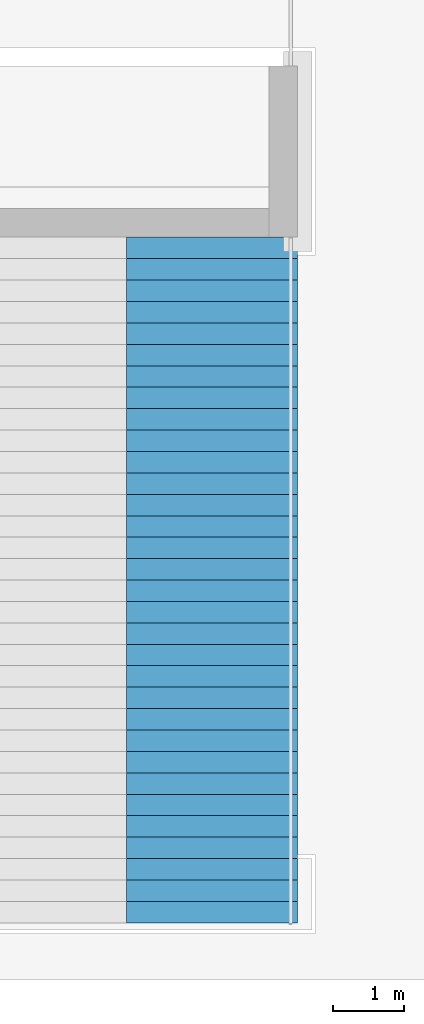
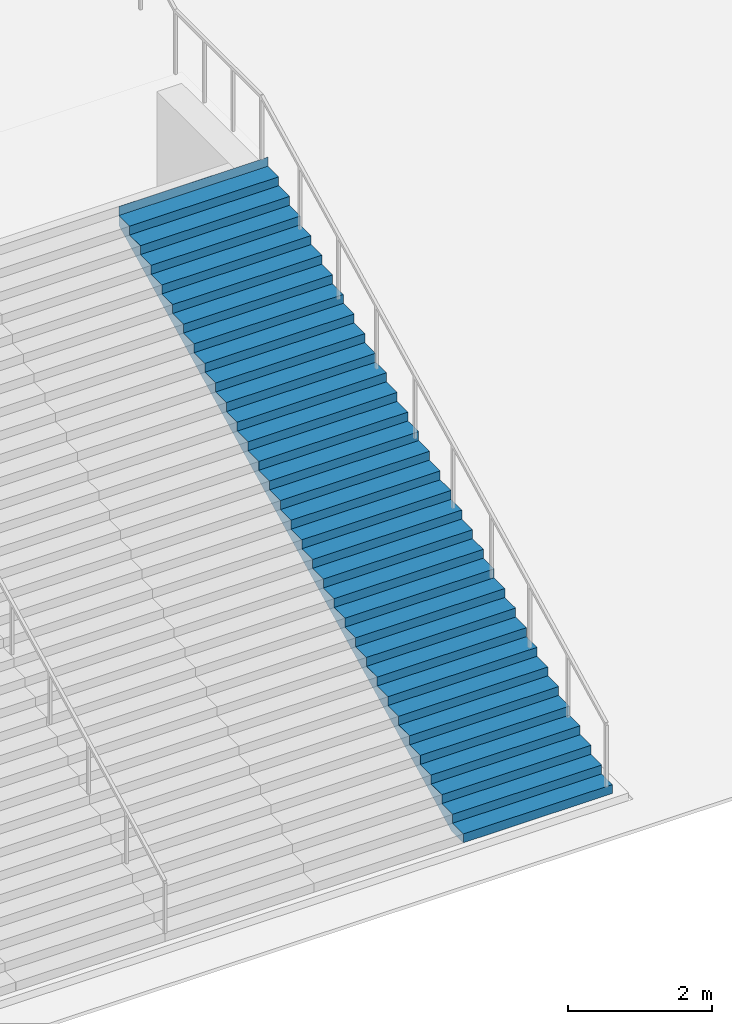
# One storey, part 39 of 57: 1 stair flight, 1 element without a shape of its own.
"""IFC4 building model written with IfcOpenShell, lengths in metres."""

from ifc_helpers import new_model, si_unit, direction, frame, origin, place, context, subcontext, project, spatial, triangles, material, type_object, element, aggregate, save


model = new_model("IFC4")

# Units and contexts
model_context = context("Model", 3, precision=1e-05, world=origin(), true_north=direction((0.0, 1.0)))
body_context = subcontext(model_context, "Body", "Model", "MODEL_VIEW")
ifc_project = project(units=[si_unit("LENGTHUNIT", "METRE"), si_unit("AREAUNIT", "SQUARE_METRE"), si_unit("VOLUMEUNIT", "CUBIC_METRE"), si_unit("PLANEANGLEUNIT", "RADIAN"), si_unit("MASSUNIT", "GRAM", prefix="KILO")], contexts=[model_context])

# Site, building, storey
site_placement = place(None, origin())
site = spatial("IfcSite", under=ifc_project, at=site_placement, CompositionType="ELEMENT")
building_placement = place(site_placement, origin())
building = spatial("IfcBuilding", under=site, at=building_placement, Name="Beryl Residences", CompositionType="ELEMENT")
storey_placement = place(building_placement, origin())
storey = spatial("IfcBuildingStorey", under=building, at=storey_placement, Name="L00", CompositionType="ELEMENT", Elevation=0.0)

# Stair, stair flight
ifc_material_1 = material(Name="Precast concrete C40/50", Category="concrete")
stair_type = type_object("IfcStairType", Name="GS1 garden stair", PredefinedType="STRAIGHT_RUN_STAIR", material=ifc_material_1)
stair_placement = place(storey_placement, origin())
stair = element("IfcStair", 1, at=stair_placement, inside=storey, type_object=stair_type, Name="GS1 garden stair", PredefinedType="STRAIGHT_RUN_STAIR")
ifc_material_2 = material(Name="Precast concrete C40/50", Category="concrete")
stair_flight_type = type_object("IfcStairFlightType", Name="GF1 garden stair flight", PredefinedType="STRAIGHT", material=ifc_material_2)
stair_flight_placement = place(storey_placement, frame((10.800048828125, -54.199951171875, 0.0), z_axis=(0.0, 0.0, 1.0), x_axis=(0.0, 1.0, 0.0)))
stair_flight = element("IfcStairFlight", 2, at=stair_flight_placement, type_object=stair_flight_type, Name="GS1 flight 10", NumberOfRisers=33, NumberOfTreads=32, PredefinedType="STRAIGHT", RiserHeight=0.151515152, TreadLength=0.3, context=body_context, shape_type="Tessellation", body=[
    triangles([(0.0, -1.199951171875, 0.0), (0.0, -0.60009765625, 0.0), (0.0, 0.0, 0.0), (0.0, 0.60009765625, 0.0), (0.0, 1.199951171875, 0.0), (0.0, -1.199951171875, 0.151611328125), (0.0, -0.60009765625, 0.151611328125), (0.0, 0.0, 0.151611328125), (0.0, 0.60009765625, 0.151611328125), (0.0, 1.199951171875, 0.151611328125), (0.300048828125, -1.199951171875, 0.151611328125), (0.300048828125, -0.60009765625, 0.151611328125), (0.300048828125, 0.0, 0.151611328125), (0.300048828125, 0.60009765625, 0.151611328125), (0.300048828125, 1.199951171875, 0.151611328125), (0.300048828125, -1.199951171875, 0.302978515625), (0.300048828125, -0.60009765625, 0.302978515625), (0.300048828125, 0.0, 0.302978515625), (0.300048828125, 0.60009765625, 0.302978515625), (0.300048828125, 1.199951171875, 0.302978515625), (0.60009765625, -1.199951171875, 0.302978515625), (0.60009765625, -0.60009765625, 0.302978515625), (0.60009765625, 0.0, 0.302978515625), (0.60009765625, 0.60009765625, 0.302978515625), (0.60009765625, 1.199951171875, 0.302978515625), (0.60009765625, -1.199951171875, 0.45458984375), (0.60009765625, -0.60009765625, 0.45458984375), (0.60009765625, 0.0, 0.45458984375), (0.60009765625, 0.60009765625, 0.45458984375), (0.60009765625, 1.199951171875, 0.45458984375), (0.89990234375, -1.199951171875, 0.45458984375), (0.89990234375, -0.60009765625, 0.45458984375), (0.89990234375, 0.0, 0.45458984375), (0.89990234375, 0.60009765625, 0.45458984375), (0.89990234375, 1.199951171875, 0.45458984375), (0.89990234375, -1.199951171875, 0.60595703125), (0.89990234375, -0.60009765625, 0.60595703125), (0.89990234375, 0.0, 0.60595703125), (0.89990234375, 0.60009765625, 0.60595703125), (0.89990234375, 1.199951171875, 0.60595703125), (1.199951171875, -1.199951171875, 0.60595703125), (1.199951171875, -0.60009765625, 0.60595703125), (1.199951171875, 0.0, 0.60595703125), (1.199951171875, 0.60009765625, 0.60595703125), (1.199951171875, 1.199951171875, 0.60595703125), (1.199951171875, -1.199951171875, 0.757568359375), (1.199951171875, -0.60009765625, 0.757568359375), (1.199951171875, 0.0, 0.757568359375), (1.199951171875, 0.60009765625, 0.757568359375), (1.199951171875, 1.199951171875, 0.757568359375), (1.5, -1.199951171875, 0.757568359375), (1.5, -0.60009765625, 0.757568359375), (1.5, 0.0, 0.757568359375), (1.5, 0.60009765625, 0.757568359375), (1.5, 1.199951171875, 0.757568359375), (1.5, -1.199951171875, 0.9091796875), (1.5, -0.60009765625, 0.9091796875), (1.5, 0.0, 0.9091796875), (1.5, 0.60009765625, 0.9091796875), (1.5, 1.199951171875, 0.9091796875), (1.800048828125, -1.199951171875, 0.9091796875), (1.800048828125, -0.60009765625, 0.9091796875), (1.800048828125, 0.0, 0.9091796875), (1.800048828125, 0.60009765625, 0.9091796875), (1.800048828125, 1.199951171875, 0.9091796875), (1.800048828125, -1.199951171875, 1.060546875), (1.800048828125, -0.60009765625, 1.060546875), (1.800048828125, 0.0, 1.060546875), (1.800048828125, 0.60009765625, 1.060546875), (1.800048828125, 1.199951171875, 1.060546875), (2.10009765625, -1.199951171875, 1.060546875), (2.10009765625, -0.60009765625, 1.060546875), (2.10009765625, 0.0, 1.060546875), (2.10009765625, 0.60009765625, 1.060546875), (2.10009765625, 1.199951171875, 1.060546875), (2.10009765625, -1.199951171875, 1.212158203125), (2.10009765625, -0.60009765625, 1.212158203125), (2.10009765625, 0.0, 1.212158203125), (2.10009765625, 0.60009765625, 1.212158203125), (2.10009765625, 1.199951171875, 1.212158203125), (2.39990234375, -1.199951171875, 1.212158203125), (2.39990234375, -0.60009765625, 1.212158203125), (2.39990234375, 0.0, 1.212158203125), (2.39990234375, 0.60009765625, 1.212158203125), (2.39990234375, 1.199951171875, 1.212158203125), (2.39990234375, -1.199951171875, 1.363525390625), (2.39990234375, -0.60009765625, 1.363525390625), (2.39990234375, 0.0, 1.363525390625), (2.39990234375, 0.60009765625, 1.363525390625), (2.39990234375, 1.199951171875, 1.363525390625), (2.699951171875, -1.199951171875, 1.363525390625), (2.699951171875, -0.60009765625, 1.363525390625), (2.699951171875, 0.0, 1.363525390625), (2.699951171875, 0.60009765625, 1.363525390625), (2.699951171875, 1.199951171875, 1.363525390625), (2.699951171875, -1.199951171875, 1.51513671875), (2.699951171875, -0.60009765625, 1.51513671875), (2.699951171875, 0.0, 1.51513671875), (2.699951171875, 0.60009765625, 1.51513671875), (2.699951171875, 1.199951171875, 1.51513671875), (3.0, -1.199951171875, 1.51513671875), (3.0, -0.60009765625, 1.51513671875), (3.0, 0.0, 1.51513671875), (3.0, 0.60009765625, 1.51513671875), (3.0, 1.199951171875, 1.51513671875), (3.0, -1.199951171875, 1.666748046875), (3.0, -0.60009765625, 1.666748046875), (3.0, 0.0, 1.666748046875), (3.0, 0.60009765625, 1.666748046875), (3.0, 1.199951171875, 1.666748046875), (3.300048828125, -1.199951171875, 1.666748046875), (3.300048828125, -0.60009765625, 1.666748046875), (3.300048828125, 0.0, 1.666748046875), (3.300048828125, 0.60009765625, 1.666748046875), (3.300048828125, 1.199951171875, 1.666748046875), (3.300048828125, -1.199951171875, 1.818115234375), (3.300048828125, -0.60009765625, 1.818115234375), (3.300048828125, 0.0, 1.818115234375), (3.300048828125, 0.60009765625, 1.818115234375), (3.300048828125, 1.199951171875, 1.818115234375), (3.60009765625, -1.199951171875, 1.818115234375), (3.60009765625, -0.60009765625, 1.818115234375), (3.60009765625, 0.0, 1.818115234375), (3.60009765625, 0.60009765625, 1.818115234375), (3.60009765625, 1.199951171875, 1.818115234375), (3.60009765625, -1.199951171875, 1.9697265625), (3.60009765625, -0.60009765625, 1.9697265625), (3.60009765625, 0.0, 1.9697265625), (3.60009765625, 0.60009765625, 1.9697265625), (3.60009765625, 1.199951171875, 1.9697265625), (3.89990234375, -1.199951171875, 1.9697265625), (3.89990234375, -0.60009765625, 1.9697265625), (3.89990234375, 0.0, 1.9697265625), (3.89990234375, 0.60009765625, 1.9697265625), (3.89990234375, 1.199951171875, 1.9697265625), (3.89990234375, -1.199951171875, 2.12109375), (3.89990234375, -0.60009765625, 2.12109375), (3.89990234375, 0.0, 2.12109375), (3.89990234375, 0.60009765625, 2.12109375), (3.89990234375, 1.199951171875, 2.12109375), (4.199951171875, -1.199951171875, 2.12109375), (4.199951171875, -0.60009765625, 2.12109375), (4.199951171875, 0.0, 2.12109375), (4.199951171875, 0.60009765625, 2.12109375), (4.199951171875, 1.199951171875, 2.12109375), (4.199951171875, -1.199951171875, 2.272705078125), (4.199951171875, -0.60009765625, 2.272705078125), (4.199951171875, 0.0, 2.272705078125), (4.199951171875, 0.60009765625, 2.272705078125), (4.199951171875, 1.199951171875, 2.272705078125), (4.5, -1.199951171875, 2.272705078125), (4.5, -0.60009765625, 2.272705078125), (4.5, 0.0, 2.272705078125), (4.5, 0.60009765625, 2.272705078125), (4.5, 1.199951171875, 2.272705078125), (4.5, -1.199951171875, 2.42431640625), (4.5, -0.60009765625, 2.42431640625), (4.5, 0.0, 2.42431640625), (4.5, 0.60009765625, 2.42431640625), (4.5, 1.199951171875, 2.42431640625), (4.800048828125, -1.199951171875, 2.42431640625), (4.800048828125, -0.60009765625, 2.42431640625), (4.800048828125, 0.0, 2.42431640625), (4.800048828125, 0.60009765625, 2.42431640625), (4.800048828125, 1.199951171875, 2.42431640625), (4.800048828125, -1.199951171875, 2.57568359375), (4.800048828125, -0.60009765625, 2.57568359375), (4.800048828125, 0.0, 2.57568359375), (4.800048828125, 0.60009765625, 2.57568359375), (4.800048828125, 1.199951171875, 2.57568359375), (5.10009765625, -1.199951171875, 2.57568359375), (5.10009765625, -0.60009765625, 2.57568359375), (5.10009765625, 0.0, 2.57568359375), (5.10009765625, 0.60009765625, 2.57568359375), (5.10009765625, 1.199951171875, 2.57568359375), (5.10009765625, -1.199951171875, 2.727294921875), (5.10009765625, -0.60009765625, 2.727294921875), (5.10009765625, 0.0, 2.727294921875), (5.10009765625, 0.60009765625, 2.727294921875), (5.10009765625, 1.199951171875, 2.727294921875), (5.39990234375, -1.199951171875, 2.727294921875), (5.39990234375, -0.60009765625, 2.727294921875), (5.39990234375, 0.0, 2.727294921875), (5.39990234375, 0.60009765625, 2.727294921875), (5.39990234375, 1.199951171875, 2.727294921875), (5.39990234375, -1.199951171875, 2.87890625), (5.39990234375, -0.60009765625, 2.87890625), (5.39990234375, 0.0, 2.87890625), (5.39990234375, 0.60009765625, 2.87890625), (5.39990234375, 1.199951171875, 2.87890625), (5.699951171875, -1.199951171875, 2.87890625), (5.699951171875, -0.60009765625, 2.87890625), (5.699951171875, 0.0, 2.87890625), (5.699951171875, 0.60009765625, 2.87890625), (5.699951171875, 1.199951171875, 2.87890625), (5.699951171875, -1.199951171875, 3.0302734375), (5.699951171875, -0.60009765625, 3.0302734375), (5.699951171875, 0.0, 3.0302734375), (5.699951171875, 0.60009765625, 3.0302734375), (5.699951171875, 1.199951171875, 3.0302734375), (6.0, -1.199951171875, 3.0302734375), (6.0, -0.60009765625, 3.0302734375), (6.0, 0.0, 3.0302734375), (6.0, 0.60009765625, 3.0302734375), (6.0, 1.199951171875, 3.0302734375), (6.0, -1.199951171875, 3.181884765625), (6.0, -0.60009765625, 3.181884765625), (6.0, 0.0, 3.181884765625), (6.0, 0.60009765625, 3.181884765625), (6.0, 1.199951171875, 3.181884765625), (6.300048828125, -1.199951171875, 3.181884765625), (6.300048828125, -0.60009765625, 3.181884765625), (6.300048828125, 0.0, 3.181884765625), (6.300048828125, 0.60009765625, 3.181884765625), (6.300048828125, 1.199951171875, 3.181884765625), (6.300048828125, -1.199951171875, 3.333251953125), (6.300048828125, -0.60009765625, 3.333251953125), (6.300048828125, 0.0, 3.333251953125), (6.300048828125, 0.60009765625, 3.333251953125), (6.300048828125, 1.199951171875, 3.333251953125), (6.60009765625, -1.199951171875, 3.333251953125), (6.60009765625, -0.60009765625, 3.333251953125), (6.60009765625, 0.0, 3.333251953125), (6.60009765625, 0.60009765625, 3.333251953125), (6.60009765625, 1.199951171875, 3.333251953125), (6.60009765625, -1.199951171875, 3.48486328125), (6.60009765625, -0.60009765625, 3.48486328125), (6.60009765625, 0.0, 3.48486328125), (6.60009765625, 0.60009765625, 3.48486328125), (6.60009765625, 1.199951171875, 3.48486328125), (6.89990234375, -1.199951171875, 3.48486328125), (6.89990234375, -0.60009765625, 3.48486328125), (6.89990234375, 0.0, 3.48486328125), (6.89990234375, 0.60009765625, 3.48486328125), (6.89990234375, 1.199951171875, 3.48486328125), (6.89990234375, -1.199951171875, 3.636474609375), (6.89990234375, -0.60009765625, 3.636474609375), (6.89990234375, 0.0, 3.636474609375), (6.89990234375, 0.60009765625, 3.636474609375), (6.89990234375, 1.199951171875, 3.636474609375), (7.199951171875, -1.199951171875, 3.636474609375), (7.199951171875, -0.60009765625, 3.636474609375), (7.199951171875, 0.0, 3.636474609375), (7.199951171875, 0.60009765625, 3.636474609375), (7.199951171875, 1.199951171875, 3.636474609375), (7.199951171875, -1.199951171875, 3.787841796875), (7.199951171875, -0.60009765625, 3.787841796875), (7.199951171875, 0.0, 3.787841796875), (7.199951171875, 0.60009765625, 3.787841796875), (7.199951171875, 1.199951171875, 3.787841796875), (7.5, -1.199951171875, 3.787841796875), (7.5, -0.60009765625, 3.787841796875), (7.5, 0.0, 3.787841796875), (7.5, 0.60009765625, 3.787841796875), (7.5, 1.199951171875, 3.787841796875), (7.5, -1.199951171875, 3.939453125), (7.5, -0.60009765625, 3.939453125), (7.5, 0.0, 3.939453125), (7.5, 0.60009765625, 3.939453125), (7.5, 1.199951171875, 3.939453125), (7.800048828125, -1.199951171875, 3.939453125), (7.800048828125, -0.60009765625, 3.939453125), (7.800048828125, 0.0, 3.939453125), (7.800048828125, 0.60009765625, 3.939453125), (7.800048828125, 1.199951171875, 3.939453125), (7.800048828125, -1.199951171875, 4.0908203125), (7.800048828125, -0.60009765625, 4.0908203125), (7.800048828125, 0.0, 4.0908203125), (7.800048828125, 0.60009765625, 4.0908203125), (7.800048828125, 1.199951171875, 4.0908203125), (8.10009765625, -1.199951171875, 4.0908203125), (8.10009765625, -0.60009765625, 4.0908203125), (8.10009765625, 0.0, 4.0908203125), (8.10009765625, 0.60009765625, 4.0908203125), (8.10009765625, 1.199951171875, 4.0908203125), (8.10009765625, -1.199951171875, 4.242431640625), (8.10009765625, -0.60009765625, 4.242431640625), (8.10009765625, 0.0, 4.242431640625), (8.10009765625, 0.60009765625, 4.242431640625), (8.10009765625, 1.199951171875, 4.242431640625), (8.39990234375, -1.199951171875, 4.242431640625), (8.39990234375, -0.60009765625, 4.242431640625), (8.39990234375, 0.0, 4.242431640625), (8.39990234375, 0.60009765625, 4.242431640625), (8.39990234375, 1.199951171875, 4.242431640625), (8.39990234375, -1.199951171875, 4.39404296875), (8.39990234375, -0.60009765625, 4.39404296875), (8.39990234375, 0.0, 4.39404296875), (8.39990234375, 0.60009765625, 4.39404296875), (8.39990234375, 1.199951171875, 4.39404296875), (8.699951171875, -1.199951171875, 4.39404296875), (8.699951171875, -0.60009765625, 4.39404296875), (8.699951171875, 0.0, 4.39404296875), (8.699951171875, 0.60009765625, 4.39404296875), (8.699951171875, 1.199951171875, 4.39404296875), (8.699951171875, -1.199951171875, 4.54541015625), (8.699951171875, -0.60009765625, 4.54541015625), (8.699951171875, 0.0, 4.54541015625), (8.699951171875, 0.60009765625, 4.54541015625), (8.699951171875, 1.199951171875, 4.54541015625), (9.0, -1.199951171875, 4.54541015625), (9.0, -0.60009765625, 4.54541015625), (9.0, 0.0, 4.54541015625), (9.0, 0.60009765625, 4.54541015625), (9.0, 1.199951171875, 4.54541015625), (9.0, -1.199951171875, 4.697021484375), (9.0, -0.60009765625, 4.697021484375), (9.0, 0.0, 4.697021484375), (9.0, 0.60009765625, 4.697021484375), (9.0, 1.199951171875, 4.697021484375), (9.300048828125, -1.199951171875, 4.697021484375), (9.300048828125, -0.60009765625, 4.697021484375), (9.300048828125, 0.0, 4.697021484375), (9.300048828125, 0.60009765625, 4.697021484375), (9.300048828125, 1.199951171875, 4.697021484375), (9.300048828125, -1.199951171875, 4.848388671875), (9.300048828125, -0.60009765625, 4.848388671875), (9.300048828125, 0.0, 4.848388671875), (9.300048828125, 0.60009765625, 4.848388671875), (9.300048828125, 1.199951171875, 4.848388671875), (9.60009765625, -1.199951171875, 4.848388671875), (9.60009765625, -0.60009765625, 4.848388671875), (9.60009765625, 0.0, 4.848388671875), (9.60009765625, 0.60009765625, 4.848388671875), (9.60009765625, 1.199951171875, 4.848388671875), (9.60009765625, -1.199951171875, 5.0), (9.60009765625, -0.60009765625, 5.0), (9.60009765625, 0.0, 5.0), (9.60009765625, 0.60009765625, 5.0), (9.60009765625, 1.199951171875, 5.0), (9.60107421875, -1.199951171875, 5.0), (9.60107421875, -0.60009765625, 5.0), (9.60107421875, 0.0, 5.0), (9.60107421875, 0.60009765625, 5.0), (9.60107421875, 1.199951171875, 5.0), (9.60107421875, -1.199951171875, 4.6806640625), (9.60107421875, -0.60009765625, 4.6806640625), (9.60107421875, 0.0, 4.6806640625), (9.60107421875, 0.60009765625, 4.6806640625), (9.60107421875, 1.199951171875, 4.6806640625), (0.33349609375, -1.199951171875, 0.0), (0.33349609375, -0.60009765625, 0.0), (0.33349609375, 0.0, 0.0), (0.33349609375, 0.60009765625, 0.0), (0.33349609375, 1.199951171875, 0.0)], [[1, 6, 7], [1, 7, 2], [2, 7, 8], [2, 8, 3], [3, 8, 9], [3, 9, 4], [4, 9, 10], [4, 10, 5], [6, 11, 12], [6, 12, 7], [7, 12, 13], [7, 13, 8], [8, 13, 14], [8, 14, 9], [9, 14, 15], [9, 15, 10], [11, 16, 17], [11, 17, 12], [12, 17, 18], [12, 18, 13], [13, 18, 19], [13, 19, 14], [14, 19, 20], [14, 20, 15], [16, 21, 22], [16, 22, 17], [17, 22, 23], [17, 23, 18], [18, 23, 24], [18, 24, 19], [19, 24, 25], [19, 25, 20], [21, 26, 27], [21, 27, 22], [22, 27, 28], [22, 28, 23], [23, 28, 29], [23, 29, 24], [24, 29, 30], [24, 30, 25], [26, 31, 32], [26, 32, 27], [27, 32, 33], [27, 33, 28], [28, 33, 34], [28, 34, 29], [29, 34, 35], [29, 35, 30], [31, 36, 37], [31, 37, 32], [32, 37, 38], [32, 38, 33], [33, 38, 39], [33, 39, 34], [34, 39, 40], [34, 40, 35], [36, 41, 42], [36, 42, 37], [37, 42, 43], [37, 43, 38], [38, 43, 44], [38, 44, 39], [39, 44, 45], [39, 45, 40], [41, 46, 47], [41, 47, 42], [42, 47, 48], [42, 48, 43], [43, 48, 49], [43, 49, 44], [44, 49, 50], [44, 50, 45], [46, 51, 52], [46, 52, 47], [47, 52, 53], [47, 53, 48], [48, 53, 54], [48, 54, 49], [49, 54, 55], [49, 55, 50], [51, 56, 57], [51, 57, 52], [52, 57, 58], [52, 58, 53], [53, 58, 59], [53, 59, 54], [54, 59, 60], [54, 60, 55], [56, 61, 62], [56, 62, 57], [57, 62, 63], [57, 63, 58], [58, 63, 64], [58, 64, 59], [59, 64, 65], [59, 65, 60], [61, 66, 67], [61, 67, 62], [62, 67, 68], [62, 68, 63], [63, 68, 69], [63, 69, 64], [64, 69, 70], [64, 70, 65], [66, 71, 72], [66, 72, 67], [67, 72, 73], [67, 73, 68], [68, 73, 74], [68, 74, 69], [69, 74, 75], [69, 75, 70], [71, 76, 77], [71, 77, 72], [72, 77, 78], [72, 78, 73], [73, 78, 79], [73, 79, 74], [74, 79, 80], [74, 80, 75], [76, 81, 82], [76, 82, 77], [77, 82, 83], [77, 83, 78], [78, 83, 84], [78, 84, 79], [79, 84, 85], [79, 85, 80], [81, 86, 87], [81, 87, 82], [82, 87, 88], [82, 88, 83], [83, 88, 89], [83, 89, 84], [84, 89, 90], [84, 90, 85], [86, 91, 92], [86, 92, 87], [87, 92, 93], [87, 93, 88], [88, 93, 94], [88, 94, 89], [89, 94, 95], [89, 95, 90], [91, 96, 97], [91, 97, 92], [92, 97, 98], [92, 98, 93], [93, 98, 99], [93, 99, 94], [94, 99, 100], [94, 100, 95], [96, 101, 102], [96, 102, 97], [97, 102, 103], [97, 103, 98], [98, 103, 104], [98, 104, 99], [99, 104, 105], [99, 105, 100], [101, 106, 107], [101, 107, 102], [102, 107, 108], [102, 108, 103], [103, 108, 109], [103, 109, 104], [104, 109, 110], [104, 110, 105], [106, 111, 112], [106, 112, 107], [107, 112, 113], [107, 113, 108], [108, 113, 114], [108, 114, 109], [109, 114, 115], [109, 115, 110], [111, 116, 117], [111, 117, 112], [112, 117, 118], [112, 118, 113], [113, 118, 119], [113, 119, 114], [114, 119, 120], [114, 120, 115], [116, 121, 122], [116, 122, 117], [117, 122, 123], [117, 123, 118], [118, 123, 124], [118, 124, 119], [119, 124, 125], [119, 125, 120], [121, 126, 127], [121, 127, 122], [122, 127, 128], [122, 128, 123], [123, 128, 129], [123, 129, 124], [124, 129, 130], [124, 130, 125], [126, 131, 132], [126, 132, 127], [127, 132, 133], [127, 133, 128], [128, 133, 134], [128, 134, 129], [129, 134, 135], [129, 135, 130], [131, 136, 137], [131, 137, 132], [132, 137, 138], [132, 138, 133], [133, 138, 139], [133, 139, 134], [134, 139, 140], [134, 140, 135], [136, 141, 142], [136, 142, 137], [137, 142, 143], [137, 143, 138], [138, 143, 144], [138, 144, 139], [139, 144, 145], [139, 145, 140], [141, 146, 147], [141, 147, 142], [142, 147, 148], [142, 148, 143], [143, 148, 149], [143, 149, 144], [144, 149, 150], [144, 150, 145], [146, 151, 152], [146, 152, 147], [147, 152, 153], [147, 153, 148], [148, 153, 154], [148, 154, 149], [149, 154, 155], [149, 155, 150], [151, 156, 157], [151, 157, 152], [152, 157, 158], [152, 158, 153], [153, 158, 159], [153, 159, 154], [154, 159, 160], [154, 160, 155], [156, 161, 162], [156, 162, 157], [157, 162, 163], [157, 163, 158], [158, 163, 164], [158, 164, 159], [159, 164, 165], [159, 165, 160], [161, 166, 167], [161, 167, 162], [162, 167, 168], [162, 168, 163], [163, 168, 169], [163, 169, 164], [164, 169, 170], [164, 170, 165], [166, 171, 172], [166, 172, 167], [167, 172, 173], [167, 173, 168], [168, 173, 174], [168, 174, 169], [169, 174, 175], [169, 175, 170], [171, 176, 177], [171, 177, 172], [172, 177, 178], [172, 178, 173], [173, 178, 179], [173, 179, 174], [174, 179, 180], [174, 180, 175], [176, 181, 182], [176, 182, 177], [177, 182, 183], [177, 183, 178], [178, 183, 184], [178, 184, 179], [179, 184, 185], [179, 185, 180], [181, 186, 187], [181, 187, 182], [182, 187, 188], [182, 188, 183], [183, 188, 189], [183, 189, 184], [184, 189, 190], [184, 190, 185], [186, 191, 192], [186, 192, 187], [187, 192, 193], [187, 193, 188], [188, 193, 194], [188, 194, 189], [189, 194, 195], [189, 195, 190], [191, 196, 197], [191, 197, 192], [192, 197, 198], [192, 198, 193], [193, 198, 199], [193, 199, 194], [194, 199, 200], [194, 200, 195], [196, 201, 202], [196, 202, 197], [197, 202, 203], [197, 203, 198], [198, 203, 204], [198, 204, 199], [199, 204, 205], [199, 205, 200], [201, 206, 207], [201, 207, 202], [202, 207, 208], [202, 208, 203], [203, 208, 209], [203, 209, 204], [204, 209, 210], [204, 210, 205], [206, 211, 212], [206, 212, 207], [207, 212, 213], [207, 213, 208], [208, 213, 214], [208, 214, 209], [209, 214, 215], [209, 215, 210], [211, 216, 217], [211, 217, 212], [212, 217, 218], [212, 218, 213], [213, 218, 219], [213, 219, 214], [214, 219, 220], [214, 220, 215], [216, 221, 222], [216, 222, 217], [217, 222, 223], [217, 223, 218], [218, 223, 224], [218, 224, 219], [219, 224, 225], [219, 225, 220], [221, 226, 227], [221, 227, 222], [222, 227, 228], [222, 228, 223], [223, 228, 229], [223, 229, 224], [224, 229, 230], [224, 230, 225], [226, 231, 232], [226, 232, 227], [227, 232, 233], [227, 233, 228], [228, 233, 234], [228, 234, 229], [229, 234, 235], [229, 235, 230], [231, 236, 237], [231, 237, 232], [232, 237, 238], [232, 238, 233], [233, 238, 239], [233, 239, 234], [234, 239, 240], [234, 240, 235], [236, 241, 242], [236, 242, 237], [237, 242, 243], [237, 243, 238], [238, 243, 244], [238, 244, 239], [239, 244, 245], [239, 245, 240], [241, 246, 247], [241, 247, 242], [242, 247, 248], [242, 248, 243], [243, 248, 249], [243, 249, 244], [244, 249, 250], [244, 250, 245], [246, 251, 252], [246, 252, 247], [247, 252, 253], [247, 253, 248], [248, 253, 254], [248, 254, 249], [249, 254, 255], [249, 255, 250], [251, 256, 257], [251, 257, 252], [252, 257, 258], [252, 258, 253], [253, 258, 259], [253, 259, 254], [254, 259, 260], [254, 260, 255], [256, 261, 262], [256, 262, 257], [257, 262, 263], [257, 263, 258], [258, 263, 264], [258, 264, 259], [259, 264, 265], [259, 265, 260], [261, 266, 267], [261, 267, 262], [262, 267, 268], [262, 268, 263], [263, 268, 269], [263, 269, 264], [264, 269, 270], [264, 270, 265], [266, 271, 272], [266, 272, 267], [267, 272, 273], [267, 273, 268], [268, 273, 274], [268, 274, 269], [269, 274, 275], [269, 275, 270], [271, 276, 277], [271, 277, 272], [272, 277, 278], [272, 278, 273], [273, 278, 279], [273, 279, 274], [274, 279, 280], [274, 280, 275], [276, 281, 282], [276, 282, 277], [277, 282, 283], [277, 283, 278], [278, 283, 284], [278, 284, 279], [279, 284, 285], [279, 285, 280], [281, 286, 287], [281, 287, 282], [282, 287, 288], [282, 288, 283], [283, 288, 289], [283, 289, 284], [284, 289, 290], [284, 290, 285], [286, 291, 292], [286, 292, 287], [287, 292, 293], [287, 293, 288], [288, 293, 294], [288, 294, 289], [289, 294, 295], [289, 295, 290], [291, 296, 297], [291, 297, 292], [292, 297, 298], [292, 298, 293], [293, 298, 299], [293, 299, 294], [294, 299, 300], [294, 300, 295], [296, 301, 302], [296, 302, 297], [297, 302, 303], [297, 303, 298], [298, 303, 304], [298, 304, 299], [299, 304, 305], [299, 305, 300], [301, 306, 307], [301, 307, 302], [302, 307, 308], [302, 308, 303], [303, 308, 309], [303, 309, 304], [304, 309, 310], [304, 310, 305], [306, 311, 312], [306, 312, 307], [307, 312, 313], [307, 313, 308], [308, 313, 314], [308, 314, 309], [309, 314, 315], [309, 315, 310], [311, 316, 317], [311, 317, 312], [312, 317, 318], [312, 318, 313], [313, 318, 319], [313, 319, 314], [314, 319, 320], [314, 320, 315], [316, 321, 322], [316, 322, 317], [317, 322, 323], [317, 323, 318], [318, 323, 324], [318, 324, 319], [319, 324, 325], [319, 325, 320], [321, 326, 327], [321, 327, 322], [322, 327, 328], [322, 328, 323], [323, 328, 329], [323, 329, 324], [324, 329, 330], [324, 330, 325], [326, 331, 332], [326, 332, 327], [327, 332, 333], [327, 333, 328], [328, 333, 334], [328, 334, 329], [329, 334, 335], [329, 335, 330], [331, 336, 337], [331, 337, 332], [332, 337, 338], [332, 338, 333], [333, 338, 339], [333, 339, 334], [334, 339, 340], [334, 340, 335], [336, 341, 342], [336, 342, 337], [337, 342, 343], [337, 343, 338], [338, 343, 344], [338, 344, 339], [339, 344, 345], [339, 345, 340], [341, 1, 2], [341, 2, 342], [342, 2, 3], [342, 3, 343], [343, 3, 4], [343, 4, 344], [344, 4, 5], [344, 5, 345], [1, 341, 336], [5, 340, 345], [336, 331, 326], [340, 330, 335], [336, 326, 321], [340, 325, 330], [336, 321, 316], [340, 320, 325], [336, 316, 311], [340, 315, 320], [336, 311, 306], [340, 310, 315], [336, 306, 301], [340, 305, 310], [301, 296, 291], [305, 295, 300], [336, 301, 291], [340, 295, 305], [291, 286, 281], [295, 285, 290], [336, 291, 281], [340, 285, 295], [281, 276, 271], [285, 275, 280], [336, 281, 271], [340, 275, 285], [271, 266, 261], [275, 265, 270], [336, 271, 261], [340, 265, 275], [261, 256, 251], [265, 255, 260], [336, 261, 251], [340, 255, 265], [251, 246, 241], [255, 245, 250], [336, 251, 241], [340, 245, 255], [241, 236, 231], [245, 235, 240], [336, 241, 231], [340, 235, 245], [231, 226, 221], [235, 225, 230], [336, 231, 221], [340, 225, 235], [221, 216, 211], [225, 215, 220], [336, 221, 211], [340, 215, 225], [211, 206, 201], [215, 205, 210], [336, 211, 201], [340, 205, 215], [201, 196, 191], [205, 195, 200], [336, 201, 191], [340, 195, 205], [191, 186, 181], [195, 185, 190], [336, 191, 181], [340, 185, 195], [181, 176, 171], [185, 175, 180], [336, 181, 171], [340, 175, 185], [171, 166, 161], [175, 165, 170], [336, 171, 161], [340, 165, 175], [161, 156, 151], [165, 155, 160], [336, 161, 151], [340, 155, 165], [151, 146, 141], [155, 145, 150], [336, 151, 141], [340, 145, 155], [141, 136, 131], [145, 135, 140], [336, 141, 131], [340, 135, 145], [131, 126, 121], [135, 125, 130], [336, 131, 121], [340, 125, 135], [121, 116, 111], [125, 115, 120], [336, 121, 111], [340, 115, 125], [111, 106, 101], [115, 105, 110], [336, 111, 101], [340, 105, 115], [101, 96, 91], [105, 95, 100], [336, 101, 91], [340, 95, 105], [91, 86, 81], [95, 85, 90], [336, 91, 81], [340, 85, 95], [81, 76, 71], [85, 75, 80], [336, 81, 71], [340, 75, 85], [71, 66, 61], [75, 65, 70], [336, 71, 61], [340, 65, 75], [61, 56, 51], [65, 55, 60], [336, 61, 51], [340, 55, 65], [51, 46, 41], [55, 45, 50], [336, 51, 41], [340, 45, 55], [41, 36, 31], [45, 35, 40], [336, 41, 31], [340, 35, 45], [31, 26, 21], [35, 25, 30], [336, 31, 21], [340, 25, 35], [1, 336, 21], [5, 25, 340], [21, 16, 11], [25, 15, 20], [1, 21, 11], [5, 15, 25], [11, 6, 1], [15, 5, 10]], closed=True),
])
aggregate(stair, [stair_flight])

save(model, "model.ifc")
